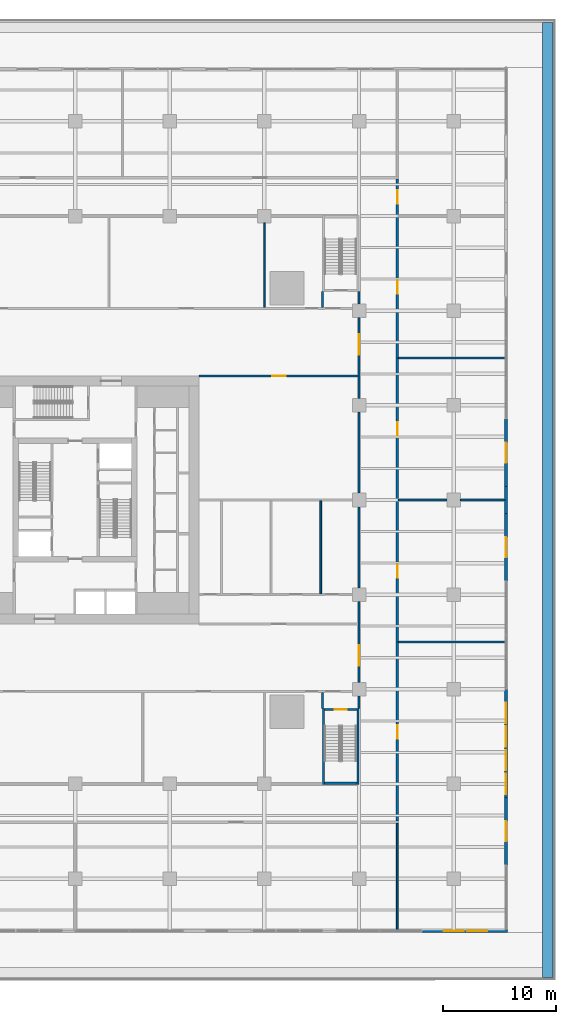
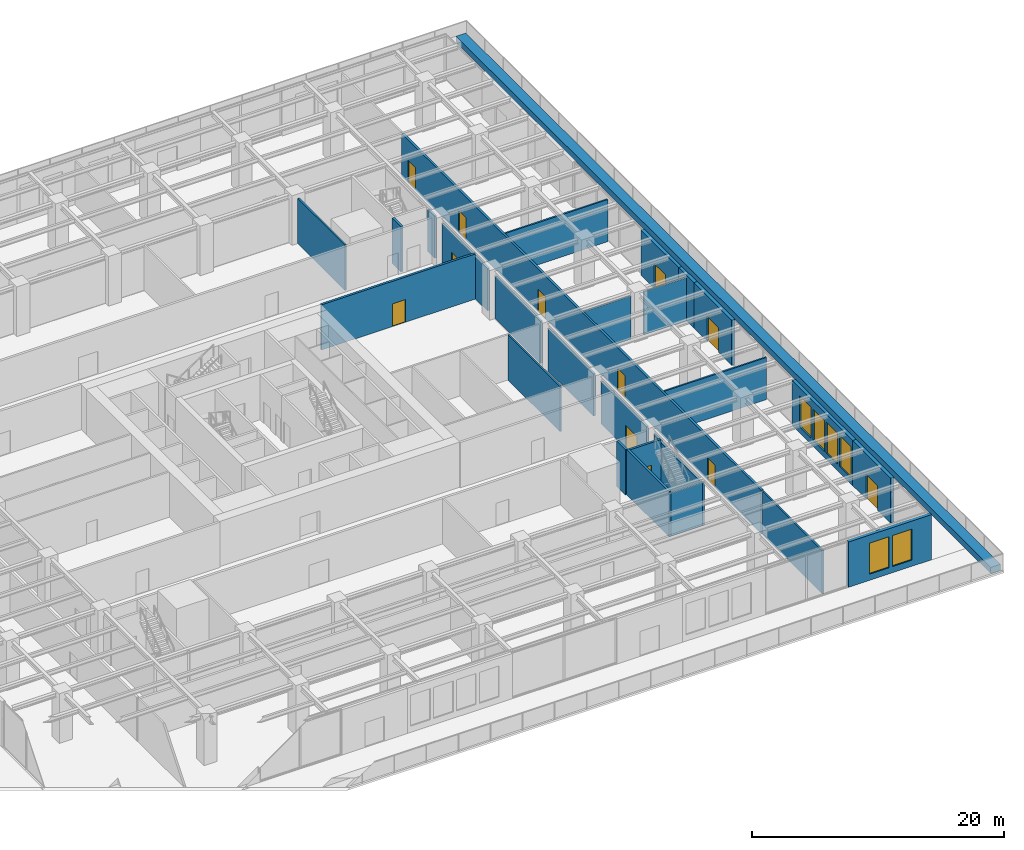
# One storey, part 21 of 32: 28 walls, 12 doors, 6 windows, 18 openings.
"""IFC4 building model written with IfcOpenShell, lengths in metres."""

from ifc_helpers import new_model, si_unit, direction, frame, frame_2d, origin, place, context, subcontext, project, spatial, rectangle, extrude, material, layer, layer_set, type_object, element, fill, save


model = new_model("IFC4")

# Units and contexts
model_context = context("Model", 3, precision=1e-05, world=origin(), true_north=direction((0.0, 1.0)))
body_context = subcontext(model_context, "Body", "Model", "MODEL_VIEW")
ifc_project = project(units=[si_unit("LENGTHUNIT", "METRE"), si_unit("AREAUNIT", "SQUARE_METRE"), si_unit("VOLUMEUNIT", "CUBIC_METRE"), si_unit("PLANEANGLEUNIT", "RADIAN"), si_unit("MASSUNIT", "GRAM", prefix="KILO")], contexts=[model_context])

# Site, building, storey
site_placement = place(None, origin())
site = spatial("IfcSite", under=ifc_project, at=site_placement, CompositionType="ELEMENT")
building_placement = place(site_placement, origin())
building = spatial("IfcBuilding", under=site, at=building_placement, Name="Khepri Terraces", CompositionType="ELEMENT")
storey_placement = place(building_placement, frame((0.0, 0.0, 12.0)))
storey = spatial("IfcBuildingStorey", under=building, at=storey_placement, Name="L02", CompositionType="ELEMENT", Elevation=12.0)

# Wall, openings, windows
ifc_material_1 = material(Name="Precast concrete C50/60 warm stone", Category="masonry")
ifc_layer_1 = layer(ifc_material_1, 0.300048828125, Name="Precast concrete C50/60 warm stone", Category="masonry")
ifc_layer_set_1 = layer_set([ifc_layer_1], Name="Precast concrete C50/60 warm stone")
wall_type_1 = type_object("IfcWallType", Name="WL-EXT-PRECAST-300", PredefinedType="STANDARD", material=ifc_layer_set_1)
wall_1_placement = place(storey_placement, frame((30.800048828125, -38.25, 0.0), z_axis=(0.0, 0.0, 1.0), x_axis=(1.0, 0.0, 0.0)))
wall_1 = element("IfcWall", 1, at=wall_1_placement, inside=storey, type_object=wall_type_1, Name="External wall L02 S", PredefinedType="STANDARD", context=body_context, shape_type="SweptSolid", body=[
    extrude(rectangle(XDim=7.599853515625, YDim=0.300048828125, at=frame_2d((3.7998046875, 0.0))), origin(), (0.0, 0.0, 1.0), 4.3798828125),
])
opening_1_placement = place(wall_1_placement, frame((1.89990234375, 0.0, 0.60009765625)))
opening_1 = element("IfcOpeningElement", 2, at=opening_1_placement, cuts=wall_1, Name="Opening WP1", PredefinedType="OPENING", context=body_context, shape_type="SweptSolid", body=[
    extrude(rectangle(XDim=1.800048828125, YDim=3.0, at=frame_2d((0.89990234375, 1.5))), frame((0.0, 0.16015625, 0.0), z_axis=(0.0, -1.0, 0.0), x_axis=(1.0, 0.0, 0.0)), (0.0, 0.0, 1.0), 0.320068359375),
])
opening_2_placement = place(wall_1_placement, frame((4.0, 0.0, 0.60009765625)))
opening_2 = element("IfcOpeningElement", 3, at=opening_2_placement, cuts=wall_1, Name="Opening WP1", PredefinedType="OPENING", context=body_context, shape_type="SweptSolid", body=[
    extrude(rectangle(XDim=1.800048828125, YDim=3.0, at=frame_2d((0.89990234375, 1.5))), frame((0.0, 0.16015625, 0.0), z_axis=(0.0, -1.0, 0.0), x_axis=(1.0, 0.0, 0.0)), (0.0, 0.0, 1.0), 0.320068359375),
])
ifc_material_2 = material(Name="Clear glass", Category="glass")
window_type = type_object("IfcWindowType", Name="WIN-POD-1800x3000", PartitioningType="SINGLE_PANEL", PredefinedType="WINDOW", material=ifc_material_2)
window_1_placement = place(opening_1_placement, origin())
window_1 = element("IfcWindow", 4, at=window_1_placement, inside=storey, type_object=window_type, Name="Window L02 S", OverallHeight=3.0, OverallWidth=1.800048828125, PartitioningType="SINGLE_PANEL", PredefinedType="WINDOW", context=body_context, shape_type="SweptSolid", body=[
    extrude(rectangle(XDim=1.800048828125, YDim=3.0, at=frame_2d((0.89990234375, 1.5))), frame((0.0, 0.030029296875, 0.0), z_axis=(0.0, -1.0, 0.0), x_axis=(1.0, 0.0, 0.0)), (0.0, 0.0, 1.0), 0.06005859375),
])
fill(opening_1, window_1)
window_2_placement = place(opening_2_placement, origin())
window_2 = element("IfcWindow", 5, at=window_2_placement, inside=storey, type_object=window_type, Name="Window L02 S", OverallHeight=3.0, OverallWidth=1.800048828125, PartitioningType="SINGLE_PANEL", PredefinedType="WINDOW", context=body_context, shape_type="SweptSolid", body=[
    extrude(rectangle(XDim=1.800048828125, YDim=3.0, at=frame_2d((0.89990234375, 1.5))), frame((0.0, 0.030029296875, 0.0), z_axis=(0.0, -1.0, 0.0), x_axis=(1.0, 0.0, 0.0)), (0.0, 0.0, 1.0), 0.06005859375),
])
fill(opening_2, window_2)

# Wall, opening, door
wall_2_placement = place(storey_placement, frame((38.25, -32.39990234375, 0.0), z_axis=(0.0, 0.0, 1.0), x_axis=(0.0, 1.0, 0.0)))
wall_2 = element("IfcWall", 6, at=wall_2_placement, inside=storey, type_object=wall_type_1, Name="External wall L02 E", PredefinedType="STANDARD", context=body_context, shape_type="SweptSolid", body=[
    extrude(rectangle(XDim=6.0, YDim=0.300048828125, at=frame_2d((3.0, 0.0))), origin(), (0.0, 0.0, 1.0), 4.3798828125),
])
opening_3_placement = place(wall_2_placement, frame((2.10009765625, 0.0, 0.0)))
opening_3 = element("IfcOpeningElement", 7, at=opening_3_placement, cuts=wall_2, Name="Opening ED-L02-03", PredefinedType="OPENING", context=body_context, shape_type="SweptSolid", body=[
    extrude(rectangle(XDim=1.800048828125, YDim=2.39990234375, at=frame_2d((0.89990234375, 1.199951171875))), frame((0.0, 0.16015625, 0.0), z_axis=(0.0, -1.0, 0.0), x_axis=(1.0, 0.0, 0.0)), (0.0, 0.0, 1.0), 0.320068359375),
])
ifc_material_3 = material(Name="Anodised aluminium bronze glazed door", Category="aluminium")
door_type_1 = type_object("IfcDoorType", Name="DR-BAL-SLIDE-1800x2400", OperationType="NOTDEFINED", PredefinedType="DOOR", material=ifc_material_3)
door_1_placement = place(opening_3_placement, origin())
door_1 = element("IfcDoor", 8, at=door_1_placement, inside=storey, type_object=door_type_1, Name="Balcony door L02 E", OperationType="SLIDING_TO_LEFT", OverallHeight=2.39990234375, OverallWidth=1.800048828125, PredefinedType="DOOR", context=body_context, shape_type="SweptSolid", body=[
    extrude(rectangle(XDim=1.800048828125, YDim=2.39990234375, at=frame_2d((0.89990234375, 1.199951171875))), frame((0.0, 0.02490234375, 0.0), z_axis=(0.0, -1.0, 0.0), x_axis=(1.0, 0.0, 0.0)), (0.0, 0.0, 1.0), 0.050048828125),
])
fill(opening_3, door_1)

# Wall, openings, windows
wall_3_placement = place(storey_placement, frame((38.25, -26.39990234375, 0.0), z_axis=(0.0, 0.0, 1.0), x_axis=(0.0, 1.0, 0.0)))
wall_3 = element("IfcWall", 9, at=wall_3_placement, inside=storey, type_object=wall_type_1, Name="External wall L02 E", PredefinedType="STANDARD", context=body_context, shape_type="SweptSolid", body=[
    extrude(rectangle(XDim=9.599853515625, YDim=0.300048828125, at=frame_2d((4.7998046875, 0.0))), origin(), (0.0, 0.0, 1.0), 4.3798828125),
])
opening_4_placement = place(wall_3_placement, frame((0.300048828125, 0.0, 0.60009765625)))
opening_4 = element("IfcOpeningElement", 10, at=opening_4_placement, cuts=wall_3, Name="Opening WP1", PredefinedType="OPENING", context=body_context, shape_type="SweptSolid", body=[
    extrude(rectangle(XDim=1.800048828125, YDim=3.0, at=frame_2d((0.89990234375, 1.5))), frame((0.0, 0.16015625, 0.0), z_axis=(0.0, -1.0, 0.0), x_axis=(1.0, 0.0, 0.0)), (0.0, 0.0, 1.0), 0.320068359375),
])
opening_5_placement = place(wall_3_placement, frame((2.39990234375, 0.0, 0.60009765625)))
opening_5 = element("IfcOpeningElement", 11, at=opening_5_placement, cuts=wall_3, Name="Opening WP1", PredefinedType="OPENING", context=body_context, shape_type="SweptSolid", body=[
    extrude(rectangle(XDim=1.800048828125, YDim=3.0, at=frame_2d((0.89990234375, 1.5))), frame((0.0, 0.16015625, 0.0), z_axis=(0.0, -1.0, 0.0), x_axis=(1.0, 0.0, 0.0)), (0.0, 0.0, 1.0), 0.320068359375),
])
opening_6_placement = place(wall_3_placement, frame((4.5, 0.0, 0.60009765625)))
opening_6 = element("IfcOpeningElement", 12, at=opening_6_placement, cuts=wall_3, Name="Opening WP1", PredefinedType="OPENING", context=body_context, shape_type="SweptSolid", body=[
    extrude(rectangle(XDim=1.800048828125, YDim=3.0, at=frame_2d((0.89990234375, 1.5))), frame((0.0, 0.16015625, 0.0), z_axis=(0.0, -1.0, 0.0), x_axis=(1.0, 0.0, 0.0)), (0.0, 0.0, 1.0), 0.320068359375),
])
opening_7_placement = place(wall_3_placement, frame((6.60009765625, 0.0, 0.60009765625)))
opening_7 = element("IfcOpeningElement", 13, at=opening_7_placement, cuts=wall_3, Name="Opening WP1", PredefinedType="OPENING", context=body_context, shape_type="SweptSolid", body=[
    extrude(rectangle(XDim=1.800048828125, YDim=3.0, at=frame_2d((0.89990234375, 1.5))), frame((0.0, 0.16015625, 0.0), z_axis=(0.0, -1.0, 0.0), x_axis=(1.0, 0.0, 0.0)), (0.0, 0.0, 1.0), 0.320068359375),
])
window_3_placement = place(opening_4_placement, origin())
window_3 = element("IfcWindow", 14, at=window_3_placement, inside=storey, type_object=window_type, Name="Window L02 E", OverallHeight=3.0, OverallWidth=1.800048828125, PartitioningType="SINGLE_PANEL", PredefinedType="WINDOW", context=body_context, shape_type="SweptSolid", body=[
    extrude(rectangle(XDim=1.800048828125, YDim=3.0, at=frame_2d((0.89990234375, 1.5))), frame((0.0, 0.030029296875, 0.0), z_axis=(0.0, -1.0, 0.0), x_axis=(1.0, 0.0, 0.0)), (0.0, 0.0, 1.0), 0.06005859375),
])
fill(opening_4, window_3)
window_4_placement = place(opening_5_placement, origin())
window_4 = element("IfcWindow", 15, at=window_4_placement, inside=storey, type_object=window_type, Name="Window L02 E", OverallHeight=3.0, OverallWidth=1.800048828125, PartitioningType="SINGLE_PANEL", PredefinedType="WINDOW", context=body_context, shape_type="SweptSolid", body=[
    extrude(rectangle(XDim=1.800048828125, YDim=3.0, at=frame_2d((0.89990234375, 1.5))), frame((0.0, 0.030029296875, 0.0), z_axis=(0.0, -1.0, 0.0), x_axis=(1.0, 0.0, 0.0)), (0.0, 0.0, 1.0), 0.06005859375),
])
fill(opening_5, window_4)
window_5_placement = place(opening_6_placement, origin())
window_5 = element("IfcWindow", 16, at=window_5_placement, inside=storey, type_object=window_type, Name="Window L02 E", OverallHeight=3.0, OverallWidth=1.800048828125, PartitioningType="SINGLE_PANEL", PredefinedType="WINDOW", context=body_context, shape_type="SweptSolid", body=[
    extrude(rectangle(XDim=1.800048828125, YDim=3.0, at=frame_2d((0.89990234375, 1.5))), frame((0.0, 0.030029296875, 0.0), z_axis=(0.0, -1.0, 0.0), x_axis=(1.0, 0.0, 0.0)), (0.0, 0.0, 1.0), 0.06005859375),
])
fill(opening_6, window_5)
window_6_placement = place(opening_7_placement, origin())
window_6 = element("IfcWindow", 17, at=window_6_placement, inside=storey, type_object=window_type, Name="Window L02 E", OverallHeight=3.0, OverallWidth=1.800048828125, PartitioningType="SINGLE_PANEL", PredefinedType="WINDOW", context=body_context, shape_type="SweptSolid", body=[
    extrude(rectangle(XDim=1.800048828125, YDim=3.0, at=frame_2d((0.89990234375, 1.5))), frame((0.0, 0.030029296875, 0.0), z_axis=(0.0, -1.0, 0.0), x_axis=(1.0, 0.0, 0.0)), (0.0, 0.0, 1.0), 0.06005859375),
])
fill(opening_7, window_6)

# Wall, opening, door
wall_4_placement = place(storey_placement, frame((38.25, -7.199951171875, 0.0), z_axis=(0.0, 0.0, 1.0), x_axis=(0.0, 1.0, 0.0)))
wall_4 = element("IfcWall", 18, at=wall_4_placement, inside=storey, type_object=wall_type_1, Name="External wall L02 E", PredefinedType="STANDARD", context=body_context, shape_type="SweptSolid", body=[
    extrude(rectangle(XDim=6.0, YDim=0.300048828125, at=frame_2d((3.0, 0.0))), origin(), (0.0, 0.0, 1.0), 4.3798828125),
])
opening_8_placement = place(wall_4_placement, frame((2.10009765625, 0.0, 0.0)))
opening_8 = element("IfcOpeningElement", 19, at=opening_8_placement, cuts=wall_4, Name="Opening ED-L02-04", PredefinedType="OPENING", context=body_context, shape_type="SweptSolid", body=[
    extrude(rectangle(XDim=1.800048828125, YDim=2.39990234375, at=frame_2d((0.89990234375, 1.199951171875))), frame((0.0, 0.16015625, 0.0), z_axis=(0.0, -1.0, 0.0), x_axis=(1.0, 0.0, 0.0)), (0.0, 0.0, 1.0), 0.320068359375),
])
door_2_placement = place(opening_8_placement, origin())
door_2 = element("IfcDoor", 20, at=door_2_placement, inside=storey, type_object=door_type_1, Name="Balcony door L02 E", OperationType="SLIDING_TO_LEFT", OverallHeight=2.39990234375, OverallWidth=1.800048828125, PredefinedType="DOOR", context=body_context, shape_type="SweptSolid", body=[
    extrude(rectangle(XDim=1.800048828125, YDim=2.39990234375, at=frame_2d((0.89990234375, 1.199951171875))), frame((0.0, 0.02490234375, 0.0), z_axis=(0.0, -1.0, 0.0), x_axis=(1.0, 0.0, 0.0)), (0.0, 0.0, 1.0), 0.050048828125),
])
fill(opening_8, door_2)

# Wall
wall_5_placement = place(storey_placement, frame((38.25, -1.199951171875, 0.0), z_axis=(0.0, 0.0, 1.0), x_axis=(0.0, 1.0, 0.0)))
element("IfcWall", 21, at=wall_5_placement, inside=storey, type_object=wall_type_1, Name="External wall L02 E", PredefinedType="STANDARD", context=body_context, shape_type="SweptSolid", body=[
    extrude(rectangle(XDim=2.39990234375, YDim=0.300048828125, at=frame_2d((1.199951171875, 0.0))), origin(), (0.0, 0.0, 1.0), 4.3798828125),
])

# Wall, opening, door
wall_6_placement = place(storey_placement, frame((38.25, 1.199951171875, 0.0), z_axis=(0.0, 0.0, 1.0), x_axis=(0.0, 1.0, 0.0)))
wall_6 = element("IfcWall", 22, at=wall_6_placement, inside=storey, type_object=wall_type_1, Name="External wall L02 E", PredefinedType="STANDARD", context=body_context, shape_type="SweptSolid", body=[
    extrude(rectangle(XDim=6.0, YDim=0.300048828125, at=frame_2d((3.0, 0.0))), origin(), (0.0, 0.0, 1.0), 4.3798828125),
])
opening_9_placement = place(wall_6_placement, frame((2.10009765625, 0.0, 0.0)))
opening_9 = element("IfcOpeningElement", 23, at=opening_9_placement, cuts=wall_6, Name="Opening ED-L02-05", PredefinedType="OPENING", context=body_context, shape_type="SweptSolid", body=[
    extrude(rectangle(XDim=1.800048828125, YDim=2.39990234375, at=frame_2d((0.89990234375, 1.199951171875))), frame((0.0, 0.16015625, 0.0), z_axis=(0.0, -1.0, 0.0), x_axis=(1.0, 0.0, 0.0)), (0.0, 0.0, 1.0), 0.320068359375),
])
door_3_placement = place(opening_9_placement, origin())
door_3 = element("IfcDoor", 24, at=door_3_placement, inside=storey, type_object=door_type_1, Name="Balcony door L02 E", OperationType="SLIDING_TO_LEFT", OverallHeight=2.39990234375, OverallWidth=1.800048828125, PredefinedType="DOOR", context=body_context, shape_type="SweptSolid", body=[
    extrude(rectangle(XDim=1.800048828125, YDim=2.39990234375, at=frame_2d((0.89990234375, 1.199951171875))), frame((0.0, 0.02490234375, 0.0), z_axis=(0.0, -1.0, 0.0), x_axis=(1.0, 0.0, 0.0)), (0.0, 0.0, 1.0), 0.050048828125),
])
fill(opening_9, door_3)

# Walls
ifc_layer_2 = layer(ifc_material_1, 0.89990234375, Name="Precast concrete C50/60 warm stone", Category="masonry")
ifc_layer_set_2 = layer_set([ifc_layer_2], Name="Precast concrete C50/60 warm stone")
wall_type_2 = type_object("IfcWallType", Name="WL-PLANTER-900", PredefinedType="MOVABLE", material=ifc_layer_set_2)
wall_7_placement = place(storey_placement, frame((41.949951171875, -42.39990234375, 0.0), z_axis=(0.0, 0.0, 1.0), x_axis=(0.0, 1.0, 0.0)))
element("IfcWall", 25, at=wall_7_placement, inside=storey, type_object=wall_type_2, Name="Planter L02", PredefinedType="MOVABLE", context=body_context, shape_type="SweptSolid", body=[
    extrude(rectangle(XDim=84.7998046875, YDim=0.89990234375, at=frame_2d((42.39990234375, 0.0))), origin(), (0.0, 0.0, 1.0), 0.60009765625),
])
ifc_material_4 = material(Name="Gypsum board partition")
ifc_layer_3 = layer(ifc_material_4, 0.14990234375, Name="Gypsum board partition")
ifc_layer_set_3 = layer_set([ifc_layer_3], Name="Gypsum board partition")
wall_type_3 = type_object("IfcWallType", Name="WL-POD-150", PredefinedType="PARTITIONING", material=ifc_layer_set_3)
wall_8_placement = place(storey_placement, frame((28.699951171875, -12.60009765625, 0.0), z_axis=(0.0, 0.0, 1.0), x_axis=(1.0, 0.0, 0.0)))
element("IfcWall", 26, at=wall_8_placement, inside=storey, type_object=wall_type_3, Name="Partition L02-PW009", PredefinedType="PARTITIONING", context=body_context, shape_type="SweptSolid", body=[
    extrude(rectangle(XDim=9.449951171875, YDim=0.14990234375, at=frame_2d((4.72509765625, 0.0))), origin(), (0.0, 0.0, 1.0), 4.080078125),
])
wall_9_placement = place(storey_placement, frame((28.699951171875, 0.0, 0.0), z_axis=(0.0, 0.0, 1.0), x_axis=(1.0, 0.0, 0.0)))
element("IfcWall", 27, at=wall_9_placement, inside=storey, type_object=wall_type_3, Name="Partition L02-PW018", PredefinedType="PARTITIONING", context=body_context, shape_type="SweptSolid", body=[
    extrude(rectangle(XDim=4.300048828125, YDim=0.14990234375, at=frame_2d((2.14990234375, 0.0))), origin(), (0.0, 0.0, 1.0), 4.179931640625),
])
wall_10_placement = place(storey_placement, frame((34.199951171875, 0.0, 0.0), z_axis=(0.0, 0.0, 1.0), x_axis=(1.0, 0.0, 0.0)))
element("IfcWall", 28, at=wall_10_placement, inside=storey, type_object=wall_type_3, Name="Partition L02-PW019", PredefinedType="PARTITIONING", context=body_context, shape_type="SweptSolid", body=[
    extrude(rectangle(XDim=3.949951171875, YDim=0.14990234375, at=frame_2d((1.97509765625, 0.0))), origin(), (0.0, 0.0, 1.0), 4.179931640625),
])
wall_11_placement = place(storey_placement, frame((28.699951171875, 12.60009765625, 0.0), z_axis=(0.0, 0.0, 1.0), x_axis=(1.0, 0.0, 0.0)))
element("IfcWall", 29, at=wall_11_placement, inside=storey, type_object=wall_type_3, Name="Partition L02-PW025", PredefinedType="PARTITIONING", context=body_context, shape_type="SweptSolid", body=[
    extrude(rectangle(XDim=9.449951171875, YDim=0.14990234375, at=frame_2d((4.72509765625, 0.0))), origin(), (0.0, 0.0, 1.0), 4.080078125),
])
wall_12_placement = place(storey_placement, frame((16.800048828125, 17.10009765625, 0.0), z_axis=(0.0, 0.0, 1.0), x_axis=(0.0, 1.0, 0.0)))
element("IfcWall", 30, at=wall_12_placement, inside=storey, type_object=wall_type_3, Name="Partition L02-PW057", PredefinedType="PARTITIONING", context=body_context, shape_type="SweptSolid", body=[
    extrude(rectangle(XDim=7.5, YDim=0.14990234375, at=frame_2d((3.75, 0.0))), origin(), (0.0, 0.0, 1.0), 4.3798828125),
])
wall_13_placement = place(storey_placement, frame((21.800048828125, -8.324951171875, 0.0), z_axis=(0.0, 0.0, 1.0), x_axis=(0.0, 1.0, 0.0)))
element("IfcWall", 31, at=wall_13_placement, inside=storey, type_object=wall_type_3, Name="Partition L02-PW059", PredefinedType="PARTITIONING", context=body_context, shape_type="SweptSolid", body=[
    extrude(rectangle(XDim=8.25, YDim=0.14990234375, at=frame_2d((4.125, 0.0))), origin(), (0.0, 0.0, 1.0), 4.3798828125),
])
wall_14_placement = place(storey_placement, frame((28.60009765625, -38.14990234375, 0.0), z_axis=(0.0, 0.0, 1.0), x_axis=(0.0, 1.0, 0.0)))
element("IfcWall", 32, at=wall_14_placement, inside=storey, type_object=wall_type_3, Name="Partition L02-PW068", PredefinedType="PARTITIONING", context=body_context, shape_type="SweptSolid", body=[
    extrude(rectangle(XDim=9.449951171875, YDim=0.14990234375, at=frame_2d((4.72509765625, 0.0))), origin(), (0.0, 0.0, 1.0), 4.179931640625),
])

# Wall, opening, door
ifc_material_5 = material(Name="Fire-rated block wall")
ifc_layer_4 = layer(ifc_material_5, 0.199951171875, Name="Fire-rated block wall")
ifc_layer_set_4 = layer_set([ifc_layer_4], Name="Fire-rated block wall")
wall_type_4 = type_object("IfcWallType", Name="WL-POD-200-EI60", PredefinedType="PARTITIONING", material=ifc_layer_set_4)
wall_15_placement = place(storey_placement, frame((11.0, 11.0, 0.0), z_axis=(0.0, 0.0, 1.0), x_axis=(1.0, 0.0, 0.0)))
wall_15 = element("IfcWall", 33, at=wall_15_placement, inside=storey, type_object=wall_type_4, Name="Partition L02-PW024", PredefinedType="PARTITIONING", context=body_context, shape_type="SweptSolid", body=[
    extrude(rectangle(XDim=14.10009765625, YDim=0.199951171875, at=frame_2d((7.050048828125, 0.0))), origin(), (0.0, 0.0, 1.0), 4.3798828125),
])
opening_10_placement = place(wall_15_placement, frame((6.5, 0.0, 0.0)))
opening_10 = element("IfcOpeningElement", 34, at=opening_10_placement, cuts=wall_15, Name="Opening L02-P25", PredefinedType="OPENING", context=body_context, shape_type="SweptSolid", body=[
    extrude(rectangle(XDim=1.199951171875, YDim=2.199951171875, at=frame_2d((0.60009765625, 1.10009765625))), frame((0.0, 0.10986328125, 0.0), z_axis=(0.0, -1.0, 0.0), x_axis=(1.0, 0.0, 0.0)), (0.0, 0.0, 1.0), 0.219970703125),
])
ifc_material_6 = material(Name="Timber veneer", Category="wood")
door_type_2 = type_object("IfcDoorType", Name="DR-POD-SINGLE-1200", OperationType="NOTDEFINED", PredefinedType="DOOR", material=ifc_material_6)
door_4_placement = place(opening_10_placement, origin())
door_4 = element("IfcDoor", 35, at=door_4_placement, inside=storey, type_object=door_type_2, Name="Door L02-P25", OperationType="SINGLE_SWING_LEFT", OverallHeight=2.199951171875, OverallWidth=1.199951171875, PredefinedType="DOOR", context=body_context, shape_type="SweptSolid", body=[
    extrude(rectangle(XDim=1.199951171875, YDim=2.199951171875, at=frame_2d((0.60009765625, 1.10009765625))), frame((0.0, 0.02490234375, 0.0), z_axis=(0.0, -1.0, 0.0), x_axis=(1.0, 0.0, 0.0)), (0.0, 0.0, 1.0), 0.050048828125),
])
fill(opening_10, door_4)

# Walls
for number, where, z_axis, x_axis, name in (
    (36, (21.949951171875, -18.5, 0.0), (0.0, 0.0, 1.0), (0.0, 1.0, 0.0), "Partition L02-PW060"),
    (37, (21.949951171875, 17.10009765625, 0.0), (0.0, 0.0, 1.0), (0.0, 1.0, 0.0), "Partition L02-PW061"),
):
    element("IfcWall", number, at=place(storey_placement, frame(where, z_axis=z_axis, x_axis=x_axis)), inside=storey, type_object=wall_type_4, Name=name, PredefinedType="PARTITIONING", context=body_context, shape_type="SweptSolid", body=[
        extrude(rectangle(XDim=1.39990234375, YDim=0.199951171875, at=frame_2d((0.699951171875, 0.0))), origin(), (0.0, 0.0, 1.0), 4.3798828125),
    ])
wall_16_placement = place(storey_placement, frame((25.199951171875, -18.5, 0.0), z_axis=(0.0, 0.0, 1.0), x_axis=(0.0, 1.0, 0.0)))
element("IfcWall", 38, at=wall_16_placement, inside=storey, type_object=wall_type_4, Name="Partition L02-PW062", PredefinedType="PARTITIONING", context=body_context, shape_type="SweptSolid", body=[
    extrude(rectangle(XDim=1.10009765625, YDim=0.199951171875, at=frame_2d((0.550048828125, 0.0))), origin(), (0.0, 0.0, 1.0), 4.080078125),
])

# Wall, opening, door
wall_17_placement = place(storey_placement, frame((25.199951171875, -16.199951171875, 0.0), z_axis=(0.0, 0.0, 1.0), x_axis=(0.0, 1.0, 0.0)))
wall_17 = element("IfcWall", 39, at=wall_17_placement, inside=storey, type_object=wall_type_4, Name="Partition L02-PW063", PredefinedType="PARTITIONING", context=body_context, shape_type="SweptSolid", body=[
    extrude(rectangle(XDim=7.199951171875, YDim=0.199951171875, at=frame_2d((3.60009765625, 0.0))), origin(), (0.0, 0.0, 1.0), 4.080078125),
])
opening_11_placement = place(wall_17_placement, frame((1.5, 0.0, 0.0)))
opening_11 = element("IfcOpeningElement", 40, at=opening_11_placement, cuts=wall_17, Name="Opening L02-P12", PredefinedType="OPENING", context=body_context, shape_type="SweptSolid", body=[
    extrude(rectangle(XDim=1.800048828125, YDim=2.199951171875, at=frame_2d((0.89990234375, 1.10009765625))), frame((0.0, 0.10986328125, 0.0), z_axis=(0.0, -1.0, 0.0), x_axis=(1.0, 0.0, 0.0)), (0.0, 0.0, 1.0), 0.219970703125),
])
ifc_material_7 = material(Name="Painted steel", Category="steel")
door_type_3 = type_object("IfcDoorType", Name="DR-POD-FIRE-PAIR-1800", OperationType="DOUBLE_DOOR_SINGLE_SWING", PredefinedType="DOOR", material=ifc_material_7)
door_5_placement = place(opening_11_placement, origin())
door_5 = element("IfcDoor", 41, at=door_5_placement, inside=storey, type_object=door_type_3, Name="Fire door pair L02-P12", OperationType="DOUBLE_DOOR_SINGLE_SWING", OverallHeight=2.199951171875, OverallWidth=1.800048828125, PredefinedType="DOOR", context=body_context, shape_type="SweptSolid", body=[
    extrude(rectangle(XDim=1.800048828125, YDim=2.199951171875, at=frame_2d((0.89990234375, 1.10009765625))), frame((0.0, 0.02490234375, 0.0), z_axis=(0.0, -1.0, 0.0), x_axis=(1.0, 0.0, 0.0)), (0.0, 0.0, 1.0), 0.050048828125),
])
fill(opening_11, door_5)

# Walls
for number, where, z_axis, x_axis, name in (
    (42, (25.199951171875, -7.800048828125, 0.0), (0.0, 0.0, 1.0), (0.0, 1.0, 0.0), "Partition L02-PW064"),
    (43, (25.199951171875, 0.60009765625, 0.0), (0.0, 0.0, 1.0), (0.0, 1.0, 0.0), "Partition L02-PW065"),
):
    element("IfcWall", number, at=place(storey_placement, frame(where, z_axis=z_axis, x_axis=x_axis)), inside=storey, type_object=wall_type_4, Name=name, PredefinedType="PARTITIONING", context=body_context, shape_type="SweptSolid", body=[
        extrude(rectangle(XDim=7.199951171875, YDim=0.199951171875, at=frame_2d((3.60009765625, 0.0))), origin(), (0.0, 0.0, 1.0), 4.080078125),
    ])

# Wall, opening, door
wall_18_placement = place(storey_placement, frame((25.199951171875, 9.0, 0.0), z_axis=(0.0, 0.0, 1.0), x_axis=(0.0, 1.0, 0.0)))
wall_18 = element("IfcWall", 44, at=wall_18_placement, inside=storey, type_object=wall_type_4, Name="Partition L02-PW066", PredefinedType="PARTITIONING", context=body_context, shape_type="SweptSolid", body=[
    extrude(rectangle(XDim=7.199951171875, YDim=0.199951171875, at=frame_2d((3.60009765625, 0.0))), origin(), (0.0, 0.0, 1.0), 4.080078125),
])
opening_12_placement = place(wall_18_placement, frame((3.89990234375, 0.0, 0.0)))
opening_12 = element("IfcOpeningElement", 45, at=opening_12_placement, cuts=wall_18, Name="Opening L02-P27", PredefinedType="OPENING", context=body_context, shape_type="SweptSolid", body=[
    extrude(rectangle(XDim=1.800048828125, YDim=2.199951171875, at=frame_2d((0.89990234375, 1.10009765625))), frame((0.0, 0.10986328125, 0.0), z_axis=(0.0, -1.0, 0.0), x_axis=(1.0, 0.0, 0.0)), (0.0, 0.0, 1.0), 0.219970703125),
])
door_6_placement = place(opening_12_placement, origin())
door_6 = element("IfcDoor", 46, at=door_6_placement, inside=storey, type_object=door_type_3, Name="Fire door pair L02-P27", OperationType="DOUBLE_DOOR_SINGLE_SWING", OverallHeight=2.199951171875, OverallWidth=1.800048828125, PredefinedType="DOOR", context=body_context, shape_type="SweptSolid", body=[
    extrude(rectangle(XDim=1.800048828125, YDim=2.199951171875, at=frame_2d((0.89990234375, 1.10009765625))), frame((0.0, 0.02490234375, 0.0), z_axis=(0.0, -1.0, 0.0), x_axis=(1.0, 0.0, 0.0)), (0.0, 0.0, 1.0), 0.050048828125),
])
fill(opening_12, door_6)

# Wall
wall_19_placement = place(storey_placement, frame((25.199951171875, 17.39990234375, 0.0), z_axis=(0.0, 0.0, 1.0), x_axis=(0.0, 1.0, 0.0)))
element("IfcWall", 47, at=wall_19_placement, inside=storey, type_object=wall_type_4, Name="Partition L02-PW067", PredefinedType="PARTITIONING", context=body_context, shape_type="SweptSolid", body=[
    extrude(rectangle(XDim=1.10009765625, YDim=0.199951171875, at=frame_2d((0.550048828125, 0.0))), origin(), (0.0, 0.0, 1.0), 4.080078125),
])

# Wall, openings, doors
wall_20_placement = place(storey_placement, frame((28.60009765625, -28.5, 0.0), z_axis=(0.0, 0.0, 1.0), x_axis=(0.0, 1.0, 0.0)))
wall_20 = element("IfcWall", 48, at=wall_20_placement, inside=storey, type_object=wall_type_4, Name="Partition L02-PW069", PredefinedType="PARTITIONING", context=body_context, shape_type="SweptSolid", body=[
    extrude(rectangle(XDim=57.0, YDim=0.199951171875, at=frame_2d((28.5, 0.0))), origin(), (0.0, 0.0, 1.0), 4.179931640625),
])
opening_13_placement = place(wall_20_placement, frame((7.300048828125, 0.0, 0.0)))
opening_13 = element("IfcOpeningElement", 49, at=opening_13_placement, cuts=wall_20, Name="Opening L02-P03", PredefinedType="OPENING", context=body_context, shape_type="SweptSolid", body=[
    extrude(rectangle(XDim=1.199951171875, YDim=2.199951171875, at=frame_2d((0.60009765625, 1.10009765625))), frame((0.0, 0.10986328125, 0.0), z_axis=(0.0, -1.0, 0.0), x_axis=(1.0, 0.0, 0.0)), (0.0, 0.0, 1.0), 0.219970703125),
])
opening_14_placement = place(wall_20_placement, frame((21.60009765625, 0.0, 0.0)))
opening_14 = element("IfcOpeningElement", 50, at=opening_14_placement, cuts=wall_20, Name="Opening L02-P19", PredefinedType="OPENING", context=body_context, shape_type="SweptSolid", body=[
    extrude(rectangle(XDim=1.199951171875, YDim=2.199951171875, at=frame_2d((0.60009765625, 1.10009765625))), frame((0.0, 0.10986328125, 0.0), z_axis=(0.0, -1.0, 0.0), x_axis=(1.0, 0.0, 0.0)), (0.0, 0.0, 1.0), 0.219970703125),
])
opening_15_placement = place(wall_20_placement, frame((34.199951171875, 0.0, 0.0)))
opening_15 = element("IfcOpeningElement", 51, at=opening_15_placement, cuts=wall_20, Name="Opening L02-P23", PredefinedType="OPENING", context=body_context, shape_type="SweptSolid", body=[
    extrude(rectangle(XDim=1.199951171875, YDim=2.199951171875, at=frame_2d((0.60009765625, 1.10009765625))), frame((0.0, 0.10986328125, 0.0), z_axis=(0.0, -1.0, 0.0), x_axis=(1.0, 0.0, 0.0)), (0.0, 0.0, 1.0), 0.219970703125),
])
opening_16_placement = place(wall_20_placement, frame((46.800048828125, 0.0, 0.0)))
opening_16 = element("IfcOpeningElement", 52, at=opening_16_placement, cuts=wall_20, Name="Opening L02-P35", PredefinedType="OPENING", context=body_context, shape_type="SweptSolid", body=[
    extrude(rectangle(XDim=1.199951171875, YDim=2.199951171875, at=frame_2d((0.60009765625, 1.10009765625))), frame((0.0, 0.10986328125, 0.0), z_axis=(0.0, -1.0, 0.0), x_axis=(1.0, 0.0, 0.0)), (0.0, 0.0, 1.0), 0.219970703125),
])
opening_17_placement = place(wall_20_placement, frame((54.800048828125, 0.0, 0.0)))
opening_17 = element("IfcOpeningElement", 53, at=opening_17_placement, cuts=wall_20, Name="Opening L02-P36", PredefinedType="OPENING", context=body_context, shape_type="SweptSolid", body=[
    extrude(rectangle(XDim=1.199951171875, YDim=2.199951171875, at=frame_2d((0.60009765625, 1.10009765625))), frame((0.0, 0.10986328125, 0.0), z_axis=(0.0, -1.0, 0.0), x_axis=(1.0, 0.0, 0.0)), (0.0, 0.0, 1.0), 0.219970703125),
])
door_7_placement = place(opening_13_placement, origin())
door_7 = element("IfcDoor", 54, at=door_7_placement, inside=storey, type_object=door_type_2, Name="Door L02-P03", OperationType="SINGLE_SWING_RIGHT", OverallHeight=2.199951171875, OverallWidth=1.199951171875, PredefinedType="DOOR", context=body_context, shape_type="SweptSolid", body=[
    extrude(rectangle(XDim=1.199951171875, YDim=2.199951171875, at=frame_2d((0.60009765625, 1.10009765625))), frame((0.0, 0.02490234375, 0.0), z_axis=(0.0, -1.0, 0.0), x_axis=(1.0, 0.0, 0.0)), (0.0, 0.0, 1.0), 0.050048828125),
])
fill(opening_13, door_7)
door_8_placement = place(opening_14_placement, origin())
door_8 = element("IfcDoor", 55, at=door_8_placement, inside=storey, type_object=door_type_2, Name="Door L02-P19", OperationType="SINGLE_SWING_RIGHT", OverallHeight=2.199951171875, OverallWidth=1.199951171875, PredefinedType="DOOR", context=body_context, shape_type="SweptSolid", body=[
    extrude(rectangle(XDim=1.199951171875, YDim=2.199951171875, at=frame_2d((0.60009765625, 1.10009765625))), frame((0.0, 0.02490234375, 0.0), z_axis=(0.0, -1.0, 0.0), x_axis=(1.0, 0.0, 0.0)), (0.0, 0.0, 1.0), 0.050048828125),
])
fill(opening_14, door_8)
door_9_placement = place(opening_15_placement, origin())
door_9 = element("IfcDoor", 56, at=door_9_placement, inside=storey, type_object=door_type_2, Name="Door L02-P23", OperationType="SINGLE_SWING_LEFT", OverallHeight=2.199951171875, OverallWidth=1.199951171875, PredefinedType="DOOR", context=body_context, shape_type="SweptSolid", body=[
    extrude(rectangle(XDim=1.199951171875, YDim=2.199951171875, at=frame_2d((0.60009765625, 1.10009765625))), frame((0.0, 0.02490234375, 0.0), z_axis=(0.0, -1.0, 0.0), x_axis=(1.0, 0.0, 0.0)), (0.0, 0.0, 1.0), 0.050048828125),
])
fill(opening_15, door_9)
door_10_placement = place(opening_16_placement, origin())
door_10 = element("IfcDoor", 57, at=door_10_placement, inside=storey, type_object=door_type_2, Name="Door L02-P35", OperationType="SINGLE_SWING_LEFT", OverallHeight=2.199951171875, OverallWidth=1.199951171875, PredefinedType="DOOR", context=body_context, shape_type="SweptSolid", body=[
    extrude(rectangle(XDim=1.199951171875, YDim=2.199951171875, at=frame_2d((0.60009765625, 1.10009765625))), frame((0.0, 0.02490234375, 0.0), z_axis=(0.0, -1.0, 0.0), x_axis=(1.0, 0.0, 0.0)), (0.0, 0.0, 1.0), 0.050048828125),
])
fill(opening_16, door_10)
door_11_placement = place(opening_17_placement, origin())
door_11 = element("IfcDoor", 58, at=door_11_placement, inside=storey, type_object=door_type_2, Name="Door L02-P36", OperationType="SINGLE_SWING_LEFT", OverallHeight=2.199951171875, OverallWidth=1.199951171875, PredefinedType="DOOR", context=body_context, shape_type="SweptSolid", body=[
    extrude(rectangle(XDim=1.199951171875, YDim=2.199951171875, at=frame_2d((0.60009765625, 1.10009765625))), frame((0.0, 0.02490234375, 0.0), z_axis=(0.0, -1.0, 0.0), x_axis=(1.0, 0.0, 0.0)), (0.0, 0.0, 1.0), 0.050048828125),
])
fill(opening_17, door_11)

# Walls
ifc_material_8 = material(Name="Concrete C40/50", Category="concrete")
ifc_layer_5 = layer(ifc_material_8, 0.199951171875, Name="Concrete C40/50", Category="concrete")
ifc_layer_set_5 = layer_set([ifc_layer_5], Name="Concrete C40/50")
wall_type_5 = type_object("IfcWallType", Name="WL-POD-STAIR-200", PredefinedType="SOLIDWALL", material=ifc_layer_set_5)
wall_21_placement = place(storey_placement, frame((22.050048828125, -25.239990234375, 0.0), z_axis=(0.0, 0.0, 1.0), x_axis=(0.0, 1.0, 0.0)))
element("IfcWall", 59, at=wall_21_placement, inside=storey, type_object=wall_type_5, Name="Stair enclosure PS-3 L02-W", PredefinedType="SOLIDWALL", context=body_context, shape_type="SweptSolid", body=[
    extrude(rectangle(XDim=6.739990234375, YDim=0.199951171875, at=frame_2d((3.3701171875, 0.0))), origin(), (0.0, 0.0, 1.0), 4.3798828125),
])
wall_22_placement = place(storey_placement, frame((25.10009765625, -25.239990234375, 0.0), z_axis=(0.0, 0.0, 1.0), x_axis=(0.0, 1.0, 0.0)))
element("IfcWall", 60, at=wall_22_placement, inside=storey, type_object=wall_type_5, Name="Stair enclosure PS-3 L02-E", PredefinedType="SOLIDWALL", context=body_context, shape_type="SweptSolid", body=[
    extrude(rectangle(XDim=6.739990234375, YDim=0.199951171875, at=frame_2d((3.3701171875, 0.0))), origin(), (0.0, 0.0, 1.0), 4.080078125),
])
wall_23_placement = place(storey_placement, frame((22.14990234375, -25.139892578125, 0.0), z_axis=(0.0, 0.0, 1.0), x_axis=(1.0, 0.0, 0.0)))
element("IfcWall", 61, at=wall_23_placement, inside=storey, type_object=wall_type_5, Name="Stair enclosure PS-3 L02-S", PredefinedType="SOLIDWALL", context=body_context, shape_type="SweptSolid", body=[
    extrude(rectangle(XDim=2.85009765625, YDim=0.199951171875, at=frame_2d((1.425048828125, 0.0))), origin(), (0.0, 0.0, 1.0), 4.179931640625),
])

# Wall, opening, door
wall_24_placement = place(storey_placement, frame((22.14990234375, -18.60009765625, 0.0), z_axis=(0.0, 0.0, 1.0), x_axis=(1.0, 0.0, 0.0)))
wall_24 = element("IfcWall", 62, at=wall_24_placement, inside=storey, type_object=wall_type_5, Name="Stair enclosure PS-3 L02-N", PredefinedType="SOLIDWALL", context=body_context, shape_type="SweptSolid", body=[
    extrude(rectangle(XDim=2.85009765625, YDim=0.199951171875, at=frame_2d((1.425048828125, 0.0))), origin(), (0.0, 0.0, 1.0), 4.3798828125),
])
opening_18_placement = place(wall_24_placement, frame((0.875, 0.0, 0.0)))
opening_18 = element("IfcOpeningElement", 63, at=opening_18_placement, cuts=wall_24, Name="Opening L02-PS-3D", PredefinedType="OPENING", context=body_context, shape_type="SweptSolid", body=[
    extrude(rectangle(XDim=1.10009765625, YDim=2.199951171875, at=frame_2d((0.550048828125, 1.10009765625))), frame((0.0, 0.10986328125, 0.0), z_axis=(0.0, -1.0, 0.0), x_axis=(1.0, 0.0, 0.0)), (0.0, 0.0, 1.0), 0.219970703125),
])
door_type_4 = type_object("IfcDoorType", Name="DR-POD-STAIR-1100", OperationType="NOTDEFINED", PredefinedType="DOOR", material=ifc_material_7)
door_12_placement = place(opening_18_placement, origin())
door_12 = element("IfcDoor", 64, at=door_12_placement, inside=storey, type_object=door_type_4, Name="Stair door L02-PS-3D", OperationType="SINGLE_SWING_LEFT", OverallHeight=2.199951171875, OverallWidth=1.10009765625, PredefinedType="DOOR", context=body_context, shape_type="SweptSolid", body=[
    extrude(rectangle(XDim=1.10009765625, YDim=2.199951171875, at=frame_2d((0.550048828125, 1.10009765625))), frame((0.0, 0.02490234375, 0.0), z_axis=(0.0, -1.0, 0.0), x_axis=(1.0, 0.0, 0.0)), (0.0, 0.0, 1.0), 0.050048828125),
])
fill(opening_18, door_12)

save(model, "model.ifc")
